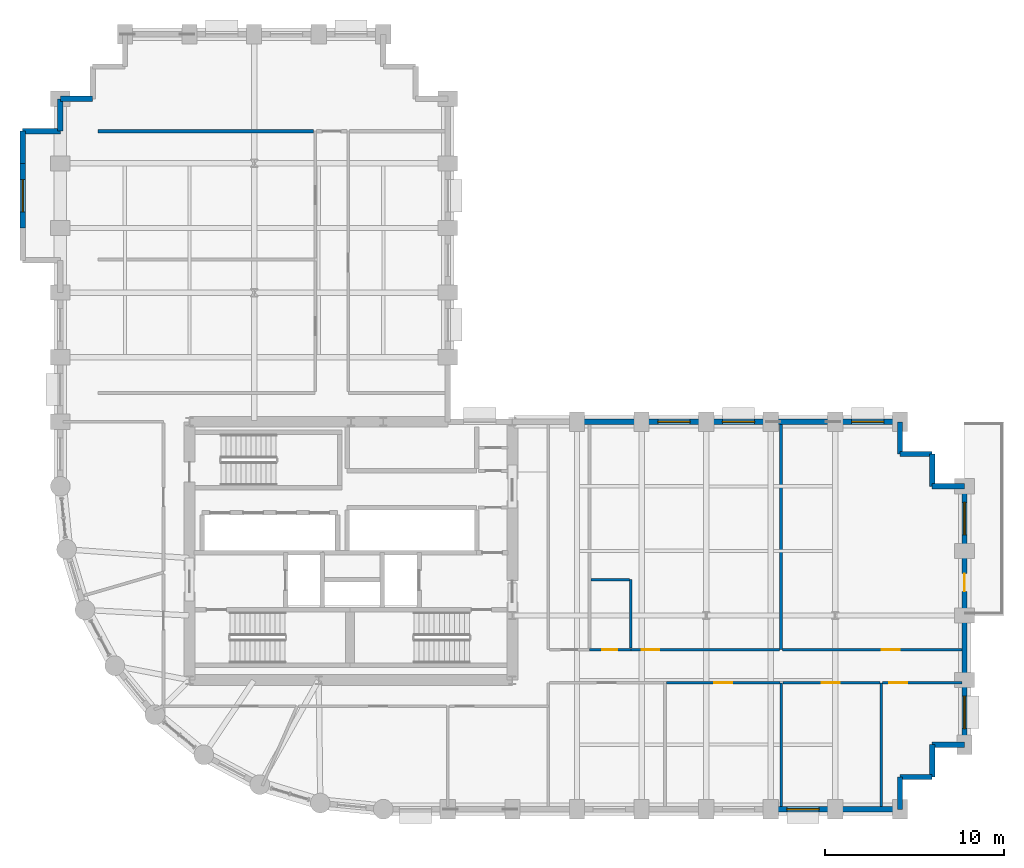
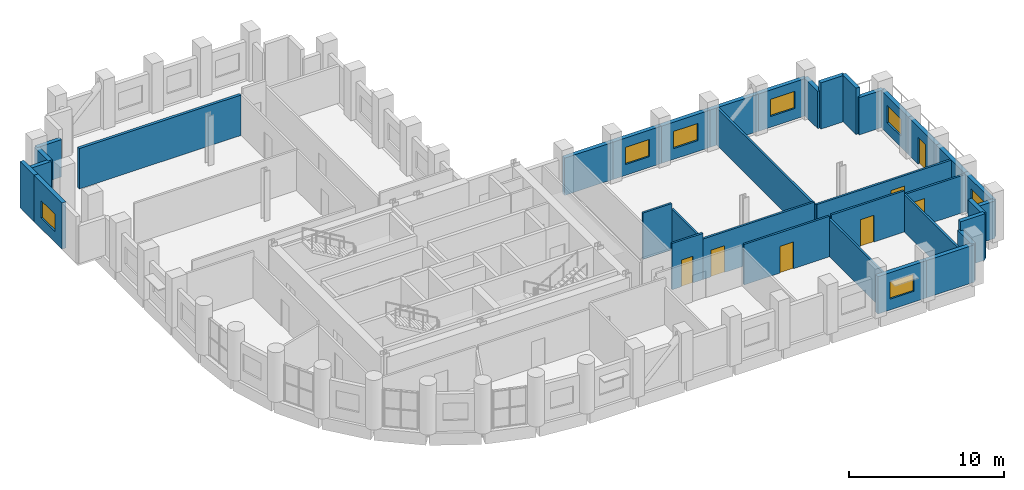
# One storey, part 10 of 13: 36 walls, 7 doors, 7 windows, 14 openings.
"""IFC4 building model written with IfcOpenShell, lengths in metres."""

from ifc_helpers import new_model, si_unit, direction, frame, frame_2d, origin, place, context, subcontext, project, spatial, rectangle, extrude, material, layer, layer_set, type_object, element, fill, save


model = new_model("IFC4")

# Units and contexts
model_context = context("Model", 3, precision=1e-05, world=origin(), true_north=direction((0.0, 1.0)))
body_context = subcontext(model_context, "Body", "Model", "MODEL_VIEW")
ifc_project = project(units=[si_unit("LENGTHUNIT", "METRE"), si_unit("AREAUNIT", "SQUARE_METRE"), si_unit("VOLUMEUNIT", "CUBIC_METRE"), si_unit("PLANEANGLEUNIT", "RADIAN"), si_unit("MASSUNIT", "GRAM", prefix="KILO")], contexts=[model_context])

# Site, building, storey
site_placement = place(None, origin())
site = spatial("IfcSite", under=ifc_project, at=site_placement, CompositionType="ELEMENT")
building_placement = place(site_placement, origin())
building = spatial("IfcBuilding", under=site, at=building_placement, Name="Solnavia Interchange Tower", CompositionType="ELEMENT")
storey_placement = place(building_placement, frame((0.0, 0.0, 87.89990234375)))
storey = spatial("IfcBuildingStorey", under=building, at=storey_placement, Name="L21", CompositionType="ELEMENT", Elevation=87.89990234375)

# Wall
ifc_material_1 = material(Name="Gypsum Acoustic Twin-Stud & Mineral Wool", Category="gypsum")
ifc_layer_1 = layer(ifc_material_1, 0.199951171875)
ifc_layer_set_1 = layer_set([ifc_layer_1], Name="Gypsum Acoustic Twin-Stud & Mineral Wool")
wall_type_1 = type_object("IfcWallType", Name="Wall-ApartmentParty-200", PredefinedType="PARTITIONING", material=ifc_layer_set_1)
wall_1_placement = place(storey_placement, frame((9.300048828125, 41.39990234375, 0.0), z_axis=(0.0, 0.0, 1.0), x_axis=(1.0, 0.0, 0.0)))
element("IfcWall", 1, at=wall_1_placement, inside=storey, type_object=wall_type_1, Name="PTW-L21-34 Interior partition wall", PredefinedType="PARTITIONING", context=body_context, shape_type="SweptSolid", body=[
    extrude(rectangle(XDim=12.02099609375, YDim=0.199951171875, at=frame_2d((6.010498046875, 0.0))), origin(), (0.0, 0.0, 1.0), 3.18017578125),
])

# Wall, opening, window
ifc_material_2 = material(Name="Concrete C40/50", Category="concrete")
ifc_layer_2 = layer(ifc_material_2, 0.300048828125)
ifc_layer_set_2 = layer_set([ifc_layer_2], Name="Concrete C40/50")
wall_type_2 = type_object("IfcWallType", Name="Wall-ExtSpandrel-300", PredefinedType="STANDARD", material=ifc_layer_set_2)
wall_2_placement = place(storey_placement, frame((50.39990234375, 3.60009765625, 0.0), z_axis=(0.0, 0.0, 1.0), x_axis=(-1.0, 0.0, 0.0)))
wall_2 = element("IfcWall", 2, at=wall_2_placement, inside=storey, type_object=wall_type_2, Name="EXW-L21-07 Exterior precast spandrel wall", PredefinedType="STANDARD", context=body_context, shape_type="SweptSolid", body=[
    extrude(rectangle(XDim=3.599853515625, YDim=0.300048828125, at=frame_2d((1.7998046875, 0.0))), origin(), (0.0, 0.0, 1.0), 2.93017578125),
])
opening_1_placement = place(wall_2_placement, frame((0.89990234375, 0.0, 0.85009765625)))
opening_1 = element("IfcOpeningElement", 3, at=opening_1_placement, cuts=wall_2, Name="Opening WIN-02", PredefinedType="OPENING", context=body_context, shape_type="SweptSolid", body=[
    extrude(rectangle(XDim=1.800048828125, YDim=1.35009765625, at=frame_2d((0.89990234375, 0.675048828125))), frame((0.0, 0.16015625, 0.0), z_axis=(0.0, -1.0, 0.0), x_axis=(1.0, 0.0, 0.0)), (0.0, 0.0, 1.0), 0.320068359375),
])
ifc_material_3 = material(Name="Thermal-Break Aluminium & Low-E Glass", Category="aluminium")
window_type = type_object("IfcWindowType", Name="Window-Ribbon-1800x1350", PartitioningType="SINGLE_PANEL", PredefinedType="WINDOW", material=ifc_material_3)
window_1_placement = place(opening_1_placement, origin())
window_1 = element("IfcWindow", 4, at=window_1_placement, inside=storey, type_object=window_type, Name="WIN-L21-07 Facade ribbon window", OverallHeight=1.35009765625, OverallWidth=1.800048828125, PartitioningType="SINGLE_PANEL", PredefinedType="WINDOW", context=body_context, shape_type="SweptSolid", body=[
    extrude(rectangle(XDim=1.800048828125, YDim=1.35009765625, at=frame_2d((0.89990234375, 0.675048828125))), frame((0.0, 0.030029296875, 0.0), z_axis=(0.0, -1.0, 0.0), x_axis=(1.0, 0.0, 0.0)), (0.0, 0.0, 1.0), 0.06005859375),
])
fill(opening_1, window_1)

# Walls
wall_3_placement = place(storey_placement, frame((54.0, 3.60009765625, 0.0), z_axis=(0.0, 0.0, 1.0), x_axis=(-1.0, 0.0, 0.0)))
element("IfcWall", 5, at=wall_3_placement, inside=storey, type_object=wall_type_2, Name="EXW-L21-08 Exterior precast spandrel wall", PredefinedType="STANDARD", context=body_context, shape_type="SweptSolid", body=[
    extrude(rectangle(XDim=3.60009765625, YDim=0.300048828125, at=frame_2d((1.800048828125, 0.0))), origin(), (0.0, 0.0, 1.0), 2.93017578125),
])
wall_4_placement = place(storey_placement, frame((54.0, 5.39990234375, 0.0), z_axis=(0.0, 0.0, 1.0), x_axis=(0.0, -1.0, 0.0)))
element("IfcWall", 6, at=wall_4_placement, inside=storey, type_object=wall_type_2, Name="EXW-L21-09 Exterior precast spandrel wall", PredefinedType="STANDARD", context=body_context, shape_type="SweptSolid", body=[
    extrude(rectangle(XDim=1.7998046875, YDim=0.300048828125, at=frame_2d((0.89990234375, 0.0))), origin(), (0.0, 0.0, 1.0), 2.93017578125),
])
for number, where, z_axis, x_axis, name in (
    (7, (55.800048828125, 5.39990234375, 0.0), (0.0, 0.0, 1.0), (-1.0, 0.0, 0.0), "EXW-L21-10 Exterior precast spandrel wall"),
    (8, (55.800048828125, 7.199951171875, 0.0), (0.0, 0.0, 1.0), (0.0, -1.0, 0.0), "EXW-L21-11 Exterior precast spandrel wall"),
):
    element("IfcWall", number, at=place(storey_placement, frame(where, z_axis=z_axis, x_axis=x_axis)), inside=storey, type_object=wall_type_2, Name=name, PredefinedType="STANDARD", context=body_context, shape_type="SweptSolid", body=[
        extrude(rectangle(XDim=1.800048828125, YDim=0.300048828125, at=frame_2d((0.89990234375, 0.0))), origin(), (0.0, 0.0, 1.0), 3.635009765625),
    ])
wall_5_placement = place(storey_placement, frame((57.60009765625, 7.199951171875, 0.0), z_axis=(0.0, 0.0, 1.0), x_axis=(-1.0, 0.0, 0.0)))
element("IfcWall", 9, at=wall_5_placement, inside=storey, type_object=wall_type_2, Name="EXW-L21-12 Exterior precast spandrel wall", PredefinedType="STANDARD", context=body_context, shape_type="SweptSolid", body=[
    extrude(rectangle(XDim=1.800048828125, YDim=0.300048828125, at=frame_2d((0.89990234375, 0.0))), origin(), (0.0, 0.0, 1.0), 2.93017578125),
])

# Wall, opening, window
wall_6_placement = place(storey_placement, frame((57.60009765625, 10.800048828125, 0.0), z_axis=(0.0, 0.0, 1.0), x_axis=(0.0, -1.0, 0.0)))
wall_6 = element("IfcWall", 10, at=wall_6_placement, inside=storey, type_object=wall_type_2, Name="EXW-L21-13 Exterior precast spandrel wall", PredefinedType="STANDARD", context=body_context, shape_type="SweptSolid", body=[
    extrude(rectangle(XDim=3.60009765625, YDim=0.300048828125, at=frame_2d((1.800048828125, 0.0))), origin(), (0.0, 0.0, 1.0), 2.93017578125),
])
opening_2_placement = place(wall_6_placement, frame((0.89990234375, 0.0, 0.85009765625)))
opening_2 = element("IfcOpeningElement", 11, at=opening_2_placement, cuts=wall_6, Name="Opening WIN-02", PredefinedType="OPENING", context=body_context, shape_type="SweptSolid", body=[
    extrude(rectangle(XDim=1.800048828125, YDim=1.35009765625, at=frame_2d((0.89990234375, 0.675048828125))), frame((0.0, 0.16015625, 0.0), z_axis=(0.0, -1.0, 0.0), x_axis=(1.0, 0.0, 0.0)), (0.0, 0.0, 1.0), 0.320068359375),
])
window_2_placement = place(opening_2_placement, origin())
window_2 = element("IfcWindow", 12, at=window_2_placement, inside=storey, type_object=window_type, Name="WIN-L21-13 Facade ribbon window", OverallHeight=1.35009765625, OverallWidth=1.800048828125, PartitioningType="SINGLE_PANEL", PredefinedType="WINDOW", context=body_context, shape_type="SweptSolid", body=[
    extrude(rectangle(XDim=1.800048828125, YDim=1.35009765625, at=frame_2d((0.89990234375, 0.675048828125))), frame((0.0, 0.030029296875, 0.0), z_axis=(0.0, -1.0, 0.0), x_axis=(1.0, 0.0, 0.0)), (0.0, 0.0, 1.0), 0.06005859375),
])
fill(opening_2, window_2)

# Wall
wall_7_placement = place(storey_placement, frame((57.60009765625, 14.39990234375, 0.0), z_axis=(0.0, 0.0, 1.0), x_axis=(0.0, -1.0, 0.0)))
element("IfcWall", 13, at=wall_7_placement, inside=storey, type_object=wall_type_2, Name="EXW-L21-14 Exterior precast spandrel wall", PredefinedType="STANDARD", context=body_context, shape_type="SweptSolid", body=[
    extrude(rectangle(XDim=3.599853515625, YDim=0.300048828125, at=frame_2d((1.7998046875, 0.0))), origin(), (0.0, 0.0, 1.0), 2.93017578125),
])

# Wall, opening, door
wall_8_placement = place(storey_placement, frame((57.60009765625, 18.0, 0.0), z_axis=(0.0, 0.0, 1.0), x_axis=(0.0, -1.0, 0.0)))
wall_8 = element("IfcWall", 14, at=wall_8_placement, inside=storey, type_object=wall_type_2, Name="EXW-L21-15 Exterior precast spandrel wall", PredefinedType="STANDARD", context=body_context, shape_type="SweptSolid", body=[
    extrude(rectangle(XDim=3.60009765625, YDim=0.300048828125, at=frame_2d((1.800048828125, 0.0))), origin(), (0.0, 0.0, 1.0), 2.93017578125),
])
opening_3_placement = place(wall_8_placement, frame((1.260986328125, 0.0, 0.0)))
opening_3 = element("IfcOpeningElement", 15, at=opening_3_placement, cuts=wall_8, Name="Opening EXD-05", PredefinedType="OPENING", context=body_context, shape_type="SweptSolid", body=[
    extrude(rectangle(XDim=1.0, YDim=2.10009765625, at=frame_2d((0.5, 1.050048828125))), frame((0.0, 0.16015625, 0.0), z_axis=(0.0, -1.0, 0.0), x_axis=(1.0, 0.0, 0.0)), (0.0, 0.0, 1.0), 0.320068359375),
])
ifc_material_4 = material(Name="Thermally Broken Aluminium & Laminated Glass", Category="aluminium")
door_type_1 = type_object("IfcDoorType", Name="Door-TerraceSingle-1000x2100", OperationType="SINGLE_SWING_LEFT", PredefinedType="DOOR", material=ifc_material_4)
door_1_placement = place(opening_3_placement, origin())
door_1 = element("IfcDoor", 16, at=door_1_placement, inside=storey, type_object=door_type_1, Name="EXD-L21-TER Spiral terrace glazed door", OperationType="SINGLE_SWING_LEFT", OverallHeight=2.10009765625, OverallWidth=1.0, PredefinedType="DOOR", context=body_context, shape_type="SweptSolid", body=[
    extrude(rectangle(XDim=1.0, YDim=2.10009765625, at=frame_2d((0.5, 1.050048828125))), frame((0.0, 0.02490234375, 0.0), z_axis=(0.0, -1.0, 0.0), x_axis=(1.0, 0.0, 0.0)), (0.0, 0.0, 1.0), 0.050048828125),
])
fill(opening_3, door_1)

# Wall, opening, window
wall_9_placement = place(storey_placement, frame((57.60009765625, 21.60009765625, 0.0), z_axis=(0.0, 0.0, 1.0), x_axis=(0.0, -1.0, 0.0)))
wall_9 = element("IfcWall", 17, at=wall_9_placement, inside=storey, type_object=wall_type_2, Name="EXW-L21-16 Exterior precast spandrel wall", PredefinedType="STANDARD", context=body_context, shape_type="SweptSolid", body=[
    extrude(rectangle(XDim=3.60009765625, YDim=0.300048828125, at=frame_2d((1.800048828125, 0.0))), origin(), (0.0, 0.0, 1.0), 2.93017578125),
])
opening_4_placement = place(wall_9_placement, frame((0.89990234375, 0.0, 0.85009765625)))
opening_4 = element("IfcOpeningElement", 18, at=opening_4_placement, cuts=wall_9, Name="Opening WIN-02", PredefinedType="OPENING", context=body_context, shape_type="SweptSolid", body=[
    extrude(rectangle(XDim=1.800048828125, YDim=1.35009765625, at=frame_2d((0.89990234375, 0.675048828125))), frame((0.0, 0.16015625, 0.0), z_axis=(0.0, -1.0, 0.0), x_axis=(1.0, 0.0, 0.0)), (0.0, 0.0, 1.0), 0.320068359375),
])
window_3_placement = place(opening_4_placement, origin())
window_3 = element("IfcWindow", 19, at=window_3_placement, inside=storey, type_object=window_type, Name="WIN-L21-16 Facade ribbon window", OverallHeight=1.35009765625, OverallWidth=1.800048828125, PartitioningType="SINGLE_PANEL", PredefinedType="WINDOW", context=body_context, shape_type="SweptSolid", body=[
    extrude(rectangle(XDim=1.800048828125, YDim=1.35009765625, at=frame_2d((0.89990234375, 0.675048828125))), frame((0.0, 0.030029296875, 0.0), z_axis=(0.0, -1.0, 0.0), x_axis=(1.0, 0.0, 0.0)), (0.0, 0.0, 1.0), 0.06005859375),
])
fill(opening_4, window_3)

# Walls
wall_10_placement = place(storey_placement, frame((55.800048828125, 21.60009765625, 0.0), z_axis=(0.0, 0.0, 1.0), x_axis=(1.0, 0.0, 0.0)))
element("IfcWall", 20, at=wall_10_placement, inside=storey, type_object=wall_type_2, Name="EXW-L21-17 Exterior precast spandrel wall", PredefinedType="STANDARD", context=body_context, shape_type="SweptSolid", body=[
    extrude(rectangle(XDim=1.800048828125, YDim=0.300048828125, at=frame_2d((0.89990234375, 0.0))), origin(), (0.0, 0.0, 1.0), 2.93017578125),
])
wall_11_placement = place(storey_placement, frame((55.800048828125, 23.39990234375, 0.0), z_axis=(0.0, 0.0, 1.0), x_axis=(0.0, -1.0, 0.0)))
element("IfcWall", 21, at=wall_11_placement, inside=storey, type_object=wall_type_2, Name="EXW-L21-18 Exterior precast spandrel wall", PredefinedType="STANDARD", context=body_context, shape_type="SweptSolid", body=[
    extrude(rectangle(XDim=1.7998046875, YDim=0.300048828125, at=frame_2d((0.89990234375, 0.0))), origin(), (0.0, 0.0, 1.0), 3.635009765625),
])
wall_12_placement = place(storey_placement, frame((54.0, 23.39990234375, 0.0), z_axis=(0.0, 0.0, 1.0), x_axis=(1.0, 0.0, 0.0)))
element("IfcWall", 22, at=wall_12_placement, inside=storey, type_object=wall_type_2, Name="EXW-L21-19 Exterior precast spandrel wall", PredefinedType="STANDARD", context=body_context, shape_type="SweptSolid", body=[
    extrude(rectangle(XDim=1.800048828125, YDim=0.300048828125, at=frame_2d((0.89990234375, 0.0))), origin(), (0.0, 0.0, 1.0), 3.635009765625),
])
wall_13_placement = place(storey_placement, frame((54.0, 25.199951171875, 0.0), z_axis=(0.0, 0.0, 1.0), x_axis=(0.0, -1.0, 0.0)))
element("IfcWall", 23, at=wall_13_placement, inside=storey, type_object=wall_type_2, Name="EXW-L21-20 Exterior precast spandrel wall", PredefinedType="STANDARD", context=body_context, shape_type="SweptSolid", body=[
    extrude(rectangle(XDim=1.800048828125, YDim=0.300048828125, at=frame_2d((0.89990234375, 0.0))), origin(), (0.0, 0.0, 1.0), 2.93017578125),
])

# Wall, opening, window
wall_14_placement = place(storey_placement, frame((50.39990234375, 25.199951171875, 0.0), z_axis=(0.0, 0.0, 1.0), x_axis=(1.0, 0.0, 0.0)))
wall_14 = element("IfcWall", 24, at=wall_14_placement, inside=storey, type_object=wall_type_2, Name="EXW-L21-21 Exterior precast spandrel wall", PredefinedType="STANDARD", context=body_context, shape_type="SweptSolid", body=[
    extrude(rectangle(XDim=3.60009765625, YDim=0.300048828125, at=frame_2d((1.800048828125, 0.0))), origin(), (0.0, 0.0, 1.0), 2.93017578125),
])
opening_5_placement = place(wall_14_placement, frame((0.89990234375, 0.0, 0.85009765625)))
opening_5 = element("IfcOpeningElement", 25, at=opening_5_placement, cuts=wall_14, Name="Opening WIN-02", PredefinedType="OPENING", context=body_context, shape_type="SweptSolid", body=[
    extrude(rectangle(XDim=1.800048828125, YDim=1.35009765625, at=frame_2d((0.89990234375, 0.675048828125))), frame((0.0, 0.16015625, 0.0), z_axis=(0.0, -1.0, 0.0), x_axis=(1.0, 0.0, 0.0)), (0.0, 0.0, 1.0), 0.320068359375),
])
window_4_placement = place(opening_5_placement, origin())
window_4 = element("IfcWindow", 26, at=window_4_placement, inside=storey, type_object=window_type, Name="WIN-L21-21 Facade ribbon window", OverallHeight=1.35009765625, OverallWidth=1.800048828125, PartitioningType="SINGLE_PANEL", PredefinedType="WINDOW", context=body_context, shape_type="SweptSolid", body=[
    extrude(rectangle(XDim=1.800048828125, YDim=1.35009765625, at=frame_2d((0.89990234375, 0.675048828125))), frame((0.0, 0.030029296875, 0.0), z_axis=(0.0, -1.0, 0.0), x_axis=(1.0, 0.0, 0.0)), (0.0, 0.0, 1.0), 0.06005859375),
])
fill(opening_5, window_4)

# Wall
wall_15_placement = place(storey_placement, frame((46.800048828125, 25.199951171875, 0.0), z_axis=(0.0, 0.0, 1.0), x_axis=(1.0, 0.0, 0.0)))
element("IfcWall", 27, at=wall_15_placement, inside=storey, type_object=wall_type_2, Name="EXW-L21-22 Exterior precast spandrel wall", PredefinedType="STANDARD", context=body_context, shape_type="SweptSolid", body=[
    extrude(rectangle(XDim=3.599853515625, YDim=0.300048828125, at=frame_2d((1.7998046875, 0.0))), origin(), (0.0, 0.0, 1.0), 2.93017578125),
])

# Wall, opening, window
wall_16_placement = place(storey_placement, frame((43.199951171875, 25.199951171875, 0.0), z_axis=(0.0, 0.0, 1.0), x_axis=(1.0, 0.0, 0.0)))
wall_16 = element("IfcWall", 28, at=wall_16_placement, inside=storey, type_object=wall_type_2, Name="EXW-L21-23 Exterior precast spandrel wall", PredefinedType="STANDARD", context=body_context, shape_type="SweptSolid", body=[
    extrude(rectangle(XDim=3.60009765625, YDim=0.300048828125, at=frame_2d((1.800048828125, 0.0))), origin(), (0.0, 0.0, 1.0), 2.93017578125),
])
opening_6_placement = place(wall_16_placement, frame((0.89990234375, 0.0, 0.85009765625)))
opening_6 = element("IfcOpeningElement", 29, at=opening_6_placement, cuts=wall_16, Name="Opening WIN-02", PredefinedType="OPENING", context=body_context, shape_type="SweptSolid", body=[
    extrude(rectangle(XDim=1.800048828125, YDim=1.35009765625, at=frame_2d((0.89990234375, 0.675048828125))), frame((0.0, 0.16015625, 0.0), z_axis=(0.0, -1.0, 0.0), x_axis=(1.0, 0.0, 0.0)), (0.0, 0.0, 1.0), 0.320068359375),
])
window_5_placement = place(opening_6_placement, origin())
window_5 = element("IfcWindow", 30, at=window_5_placement, inside=storey, type_object=window_type, Name="WIN-L21-23 Facade ribbon window", OverallHeight=1.35009765625, OverallWidth=1.800048828125, PartitioningType="SINGLE_PANEL", PredefinedType="WINDOW", context=body_context, shape_type="SweptSolid", body=[
    extrude(rectangle(XDim=1.800048828125, YDim=1.35009765625, at=frame_2d((0.89990234375, 0.675048828125))), frame((0.0, 0.030029296875, 0.0), z_axis=(0.0, -1.0, 0.0), x_axis=(1.0, 0.0, 0.0)), (0.0, 0.0, 1.0), 0.06005859375),
])
fill(opening_6, window_5)

wall_17_placement = place(storey_placement, frame((39.60009765625, 25.199951171875, 0.0), z_axis=(0.0, 0.0, 1.0), x_axis=(1.0, 0.0, 0.0)))
wall_17 = element("IfcWall", 31, at=wall_17_placement, inside=storey, type_object=wall_type_2, Name="EXW-L21-24 Exterior precast spandrel wall", PredefinedType="STANDARD", context=body_context, shape_type="SweptSolid", body=[
    extrude(rectangle(XDim=3.599853515625, YDim=0.300048828125, at=frame_2d((1.7998046875, 0.0))), origin(), (0.0, 0.0, 1.0), 2.93017578125),
])
opening_7_placement = place(wall_17_placement, frame((0.89990234375, 0.0, 0.85009765625)))
opening_7 = element("IfcOpeningElement", 32, at=opening_7_placement, cuts=wall_17, Name="Opening WIN-02", PredefinedType="OPENING", context=body_context, shape_type="SweptSolid", body=[
    extrude(rectangle(XDim=1.800048828125, YDim=1.35009765625, at=frame_2d((0.89990234375, 0.675048828125))), frame((0.0, 0.16015625, 0.0), z_axis=(0.0, -1.0, 0.0), x_axis=(1.0, 0.0, 0.0)), (0.0, 0.0, 1.0), 0.320068359375),
])
window_6_placement = place(opening_7_placement, origin())
window_6 = element("IfcWindow", 33, at=window_6_placement, inside=storey, type_object=window_type, Name="WIN-L21-24 Facade ribbon window", OverallHeight=1.35009765625, OverallWidth=1.800048828125, PartitioningType="SINGLE_PANEL", PredefinedType="WINDOW", context=body_context, shape_type="SweptSolid", body=[
    extrude(rectangle(XDim=1.800048828125, YDim=1.35009765625, at=frame_2d((0.89990234375, 0.675048828125))), frame((0.0, 0.030029296875, 0.0), z_axis=(0.0, -1.0, 0.0), x_axis=(1.0, 0.0, 0.0)), (0.0, 0.0, 1.0), 0.06005859375),
])
fill(opening_7, window_6)

# Walls
wall_18_placement = place(storey_placement, frame((36.0, 25.199951171875, 0.0), z_axis=(0.0, 0.0, 1.0), x_axis=(1.0, 0.0, 0.0)))
element("IfcWall", 34, at=wall_18_placement, inside=storey, type_object=wall_type_2, Name="EXW-L21-25 Exterior precast spandrel wall", PredefinedType="STANDARD", context=body_context, shape_type="SweptSolid", body=[
    extrude(rectangle(XDim=3.60009765625, YDim=0.300048828125, at=frame_2d((1.800048828125, 0.0))), origin(), (0.0, 0.0, 1.0), 2.93017578125),
])
for number, where, z_axis, x_axis, name in (
    (35, (7.199951171875, 43.199951171875, 0.0), (0.0, 0.0, 1.0), (1.0, 0.0, 0.0), "EXW-L21-44 Exterior precast spandrel wall"),
    (36, (7.199951171875, 41.39990234375, 0.0), (0.0, 0.0, 1.0), (0.0, 1.0, 0.0), "EXW-L21-45 Exterior precast spandrel wall"),
):
    element("IfcWall", number, at=place(storey_placement, frame(where, z_axis=z_axis, x_axis=x_axis)), inside=storey, type_object=wall_type_2, Name=name, PredefinedType="STANDARD", context=body_context, shape_type="SweptSolid", body=[
        extrude(rectangle(XDim=1.800048828125, YDim=0.300048828125, at=frame_2d((0.89990234375, 0.0))), origin(), (0.0, 0.0, 1.0), 2.93017578125),
    ])
wall_19_placement = place(storey_placement, frame((5.10009765625, 41.39990234375, 0.0), z_axis=(0.0, 0.0, 1.0), x_axis=(1.0, 0.0, 0.0)))
element("IfcWall", 37, at=wall_19_placement, inside=storey, type_object=wall_type_2, Name="EXW-L21-46 Exterior precast spandrel wall", PredefinedType="STANDARD", context=body_context, shape_type="SweptSolid", body=[
    extrude(rectangle(XDim=2.099853515625, YDim=0.300048828125, at=frame_2d((1.0498046875, 0.0))), origin(), (0.0, 0.0, 1.0), 2.93017578125),
])
wall_20_placement = place(storey_placement, frame((5.10009765625, 39.60009765625, 0.0), z_axis=(0.0, 0.0, 1.0), x_axis=(0.0, 1.0, 0.0)))
element("IfcWall", 38, at=wall_20_placement, inside=storey, type_object=wall_type_2, Name="EXW-L21-47 Exterior precast spandrel wall", PredefinedType="STANDARD", context=body_context, shape_type="SweptSolid", body=[
    extrude(rectangle(XDim=1.7998046875, YDim=0.300048828125, at=frame_2d((0.89990234375, 0.0))), origin(), (0.0, 0.0, 1.0), 3.635009765625),
])

# Wall, opening, window
wall_21_placement = place(storey_placement, frame((5.10009765625, 36.0, 0.0), z_axis=(0.0, 0.0, 1.0), x_axis=(0.0, 1.0, 0.0)))
wall_21 = element("IfcWall", 39, at=wall_21_placement, inside=storey, type_object=wall_type_2, Name="EXW-L21-48 Exterior precast spandrel wall", PredefinedType="STANDARD", context=body_context, shape_type="SweptSolid", body=[
    extrude(rectangle(XDim=3.60009765625, YDim=0.300048828125, at=frame_2d((1.800048828125, 0.0))), origin(), (0.0, 0.0, 1.0), 3.635009765625),
])
opening_8_placement = place(wall_21_placement, frame((0.89990234375, 0.0, 0.85009765625)))
opening_8 = element("IfcOpeningElement", 40, at=opening_8_placement, cuts=wall_21, Name="Opening WIN-02", PredefinedType="OPENING", context=body_context, shape_type="SweptSolid", body=[
    extrude(rectangle(XDim=1.800048828125, YDim=1.35009765625, at=frame_2d((0.89990234375, 0.675048828125))), frame((0.0, 0.16015625, 0.0), z_axis=(0.0, -1.0, 0.0), x_axis=(1.0, 0.0, 0.0)), (0.0, 0.0, 1.0), 0.320068359375),
])
window_7_placement = place(opening_8_placement, origin())
window_7 = element("IfcWindow", 41, at=window_7_placement, inside=storey, type_object=window_type, Name="WIN-L21-48 Facade ribbon window", OverallHeight=1.35009765625, OverallWidth=1.800048828125, PartitioningType="SINGLE_PANEL", PredefinedType="WINDOW", context=body_context, shape_type="SweptSolid", body=[
    extrude(rectangle(XDim=1.800048828125, YDim=1.35009765625, at=frame_2d((0.89990234375, 0.675048828125))), frame((0.0, 0.030029296875, 0.0), z_axis=(0.0, -1.0, 0.0), x_axis=(1.0, 0.0, 0.0)), (0.0, 0.0, 1.0), 0.06005859375),
])
fill(opening_8, window_7)

# Wall
ifc_material_5 = material(Name="Gypsum Plasterboard & Steel Stud", Category="steel")
ifc_layer_3 = layer(ifc_material_5, 0.14990234375)
ifc_layer_set_3 = layer_set([ifc_layer_3], Name="Gypsum Plasterboard & Steel Stud")
wall_type_3 = type_object("IfcWallType", Name="Wall-Partition-150", PredefinedType="PARTITIONING", material=ifc_layer_set_3)
wall_22_placement = place(storey_placement, frame((47.389892578125, 3.75390625, 0.0), z_axis=(0.0, 0.0, 1.0), x_axis=(0.0, 1.0, 0.0)))
element("IfcWall", 42, at=wall_22_placement, inside=storey, type_object=wall_type_3, Name="PTW-L21-20 Interior partition wall", PredefinedType="PARTITIONING", context=body_context, shape_type="SweptSolid", body=[
    extrude(rectangle(XDim=6.89599609375, YDim=0.14990234375, at=frame_2d((3.447998046875, 0.0))), origin(), (0.0, 0.0, 1.0), 2.93017578125),
])

# Wall, opening, door
wall_23_placement = place(storey_placement, frame((40.97900390625, 10.64990234375, 0.0), z_axis=(0.0, 0.0, 1.0), x_axis=(1.0, 0.0, 0.0)))
wall_23 = element("IfcWall", 43, at=wall_23_placement, inside=storey, type_object=wall_type_3, Name="PTW-L21-21 Interior partition wall", PredefinedType="PARTITIONING", context=body_context, shape_type="SweptSolid", body=[
    extrude(rectangle(XDim=6.33203125, YDim=0.14990234375, at=frame_2d((3.166015625, 0.0))), origin(), (0.0, 0.0, 1.0), 3.18017578125),
])
opening_9_placement = place(wall_23_placement, frame((2.666015625, 0.0, 0.0)))
opening_9 = element("IfcOpeningElement", 44, at=opening_9_placement, cuts=wall_23, Name="Opening DR-07", PredefinedType="OPENING", context=body_context, shape_type="SweptSolid", body=[
    extrude(rectangle(XDim=1.0, YDim=2.10009765625, at=frame_2d((0.5, 1.050048828125))), frame((0.0, 0.0849609375, 0.0), z_axis=(0.0, -1.0, 0.0), x_axis=(1.0, 0.0, 0.0)), (0.0, 0.0, 1.0), 0.169921875),
])
ifc_material_6 = material(Name="Timber & Acoustic Glazed Office Door", Category="wood")
door_type_2 = type_object("IfcDoorType", Name="Door-Office-1000x2100", OperationType="SINGLE_SWING_RIGHT", PredefinedType="DOOR", material=ifc_material_6)
door_2_placement = place(opening_9_placement, origin())
door_2 = element("IfcDoor", 45, at=door_2_placement, inside=storey, type_object=door_type_2, Name="DR-L21-09 Interior room door", OperationType="SINGLE_SWING_RIGHT", OverallHeight=2.10009765625, OverallWidth=1.0, PredefinedType="DOOR", context=body_context, shape_type="SweptSolid", body=[
    extrude(rectangle(XDim=1.0, YDim=2.10009765625, at=frame_2d((0.5, 1.050048828125))), frame((0.0, 0.02490234375, 0.0), z_axis=(0.0, -1.0, 0.0), x_axis=(1.0, 0.0, 0.0)), (0.0, 0.0, 1.0), 0.050048828125),
])
fill(opening_9, door_2)

# Wall
wall_24_placement = place(storey_placement, frame((52.9599609375, 3.75390625, 0.0), z_axis=(0.0, 0.0, 1.0), x_axis=(0.0, 1.0, 0.0)))
element("IfcWall", 46, at=wall_24_placement, inside=storey, type_object=wall_type_3, Name="PTW-L21-22 Interior partition wall", PredefinedType="PARTITIONING", context=body_context, shape_type="SweptSolid", body=[
    extrude(rectangle(XDim=6.89599609375, YDim=0.14990234375, at=frame_2d((3.447998046875, 0.0))), origin(), (0.0, 0.0, 1.0), 2.93017578125),
])

# Wall, opening, door
wall_25_placement = place(storey_placement, frame((47.468994140625, 10.64990234375, 0.0), z_axis=(0.0, 0.0, 1.0), x_axis=(1.0, 0.0, 0.0)))
wall_25 = element("IfcWall", 47, at=wall_25_placement, inside=storey, type_object=wall_type_3, Name="PTW-L21-23 Interior partition wall", PredefinedType="PARTITIONING", context=body_context, shape_type="SweptSolid", body=[
    extrude(rectangle(XDim=5.412109375, YDim=0.14990234375, at=frame_2d((2.7060546875, 0.0))), origin(), (0.0, 0.0, 1.0), 3.22998046875),
])
opening_10_placement = place(wall_25_placement, frame((2.1669921875, 0.0, 0.0)))
opening_10 = element("IfcOpeningElement", 48, at=opening_10_placement, cuts=wall_25, Name="Opening DR-07", PredefinedType="OPENING", context=body_context, shape_type="SweptSolid", body=[
    extrude(rectangle(XDim=1.0, YDim=2.10009765625, at=frame_2d((0.5, 1.050048828125))), frame((0.0, 0.0849609375, 0.0), z_axis=(0.0, -1.0, 0.0), x_axis=(1.0, 0.0, 0.0)), (0.0, 0.0, 1.0), 0.169921875),
])
door_3_placement = place(opening_10_placement, origin())
door_3 = element("IfcDoor", 49, at=door_3_placement, inside=storey, type_object=door_type_2, Name="DR-L21-10 Interior room door", OperationType="SINGLE_SWING_LEFT", OverallHeight=2.10009765625, OverallWidth=1.0, PredefinedType="DOOR", context=body_context, shape_type="SweptSolid", body=[
    extrude(rectangle(XDim=1.0, YDim=2.10009765625, at=frame_2d((0.5, 1.050048828125))), frame((0.0, 0.02490234375, 0.0), z_axis=(0.0, -1.0, 0.0), x_axis=(1.0, 0.0, 0.0)), (0.0, 0.0, 1.0), 0.050048828125),
])
fill(opening_10, door_3)

wall_26_placement = place(storey_placement, frame((53.0390625, 10.64990234375, 0.0), z_axis=(0.0, 0.0, 1.0), x_axis=(1.0, 0.0, 0.0)))
wall_26 = element("IfcWall", 50, at=wall_26_placement, inside=storey, type_object=wall_type_3, Name="PTW-L21-24 Interior partition wall", PredefinedType="PARTITIONING", context=body_context, shape_type="SweptSolid", body=[
    extrude(rectangle(XDim=4.406982421875, YDim=0.14990234375, at=frame_2d((2.20361328125, 0.0))), origin(), (0.0, 0.0, 1.0), 2.93017578125),
])
opening_11_placement = place(wall_26_placement, frame((0.360107421875, 0.0, 0.0)))
opening_11 = element("IfcOpeningElement", 51, at=opening_11_placement, cuts=wall_26, Name="Opening DR-07", PredefinedType="OPENING", context=body_context, shape_type="SweptSolid", body=[
    extrude(rectangle(XDim=1.0, YDim=2.10009765625, at=frame_2d((0.5, 1.050048828125))), frame((0.0, 0.0849609375, 0.0), z_axis=(0.0, -1.0, 0.0), x_axis=(1.0, 0.0, 0.0)), (0.0, 0.0, 1.0), 0.169921875),
])
door_4_placement = place(opening_11_placement, origin())
door_4 = element("IfcDoor", 52, at=door_4_placement, inside=storey, type_object=door_type_2, Name="DR-L21-11 Interior room door", OperationType="SINGLE_SWING_RIGHT", OverallHeight=2.10009765625, OverallWidth=1.0, PredefinedType="DOOR", context=body_context, shape_type="SweptSolid", body=[
    extrude(rectangle(XDim=1.0, YDim=2.10009765625, at=frame_2d((0.5, 1.050048828125))), frame((0.0, 0.02490234375, 0.0), z_axis=(0.0, -1.0, 0.0), x_axis=(1.0, 0.0, 0.0)), (0.0, 0.0, 1.0), 0.050048828125),
])
fill(opening_11, door_4)

# Wall
wall_27_placement = place(storey_placement, frame((47.3701171875, 12.5, 0.0), z_axis=(0.0, 0.0, 1.0), x_axis=(0.0, 1.0, 0.0)))
element("IfcWall", 53, at=wall_27_placement, inside=storey, type_object=wall_type_3, Name="PTW-L21-25 Interior partition wall", PredefinedType="PARTITIONING", context=body_context, shape_type="SweptSolid", body=[
    extrude(rectangle(XDim=12.5458984375, YDim=0.14990234375, at=frame_2d((6.27294921875, 0.0))), origin(), (0.0, 0.0, 1.0), 2.93017578125),
])

# Wall, opening, door
wall_28_placement = place(storey_placement, frame((39.0, 12.5, 0.0), z_axis=(0.0, 0.0, 1.0), x_axis=(1.0, 0.0, 0.0)))
wall_28 = element("IfcWall", 54, at=wall_28_placement, inside=storey, type_object=wall_type_3, Name="PTW-L21-26 Interior partition wall", PredefinedType="PARTITIONING", context=body_context, shape_type="SweptSolid", body=[
    extrude(rectangle(XDim=8.291015625, YDim=0.14990234375, at=frame_2d((4.1455078125, 0.0))), origin(), (0.0, 0.0, 1.0), 3.190185546875),
])
opening_12_placement = place(wall_28_placement, frame((0.596923828125, 0.0, 0.0)))
opening_12 = element("IfcOpeningElement", 55, at=opening_12_placement, cuts=wall_28, Name="Opening DR-07", PredefinedType="OPENING", context=body_context, shape_type="SweptSolid", body=[
    extrude(rectangle(XDim=1.0, YDim=2.10009765625, at=frame_2d((0.5, 1.050048828125))), frame((0.0, 0.0849609375, 0.0), z_axis=(0.0, -1.0, 0.0), x_axis=(1.0, 0.0, 0.0)), (0.0, 0.0, 1.0), 0.169921875),
])
door_5_placement = place(opening_12_placement, origin())
door_5 = element("IfcDoor", 56, at=door_5_placement, inside=storey, type_object=door_type_2, Name="DR-L21-12 Interior room door", OperationType="SINGLE_SWING_RIGHT", OverallHeight=2.10009765625, OverallWidth=1.0, PredefinedType="DOOR", context=body_context, shape_type="SweptSolid", body=[
    extrude(rectangle(XDim=1.0, YDim=2.10009765625, at=frame_2d((0.5, 1.050048828125))), frame((0.0, 0.02490234375, 0.0), z_axis=(0.0, -1.0, 0.0), x_axis=(1.0, 0.0, 0.0)), (0.0, 0.0, 1.0), 0.050048828125),
])
fill(opening_12, door_5)

wall_29_placement = place(storey_placement, frame((47.448974609375, 12.5, 0.0), z_axis=(0.0, 0.0, 1.0), x_axis=(1.0, 0.0, 0.0)))
wall_29 = element("IfcWall", 57, at=wall_29_placement, inside=storey, type_object=wall_type_3, Name="PTW-L21-27 Interior partition wall", PredefinedType="PARTITIONING", context=body_context, shape_type="SweptSolid", body=[
    extrude(rectangle(XDim=9.9970703125, YDim=0.14990234375, at=frame_2d((4.99853515625, 0.0))), origin(), (0.0, 0.0, 1.0), 2.93017578125),
])
opening_13_placement = place(wall_29_placement, frame((5.530029296875, 0.0, 0.0)))
opening_13 = element("IfcOpeningElement", 58, at=opening_13_placement, cuts=wall_29, Name="Opening DR-07", PredefinedType="OPENING", context=body_context, shape_type="SweptSolid", body=[
    extrude(rectangle(XDim=1.0, YDim=2.10009765625, at=frame_2d((0.5, 1.050048828125))), frame((0.0, 0.0849609375, 0.0), z_axis=(0.0, -1.0, 0.0), x_axis=(1.0, 0.0, 0.0)), (0.0, 0.0, 1.0), 0.169921875),
])
door_6_placement = place(opening_13_placement, origin())
door_6 = element("IfcDoor", 59, at=door_6_placement, inside=storey, type_object=door_type_2, Name="DR-L21-13 Interior room door", OperationType="SINGLE_SWING_RIGHT", OverallHeight=2.10009765625, OverallWidth=1.0, PredefinedType="DOOR", context=body_context, shape_type="SweptSolid", body=[
    extrude(rectangle(XDim=1.0, YDim=2.10009765625, at=frame_2d((0.5, 1.050048828125))), frame((0.0, 0.02490234375, 0.0), z_axis=(0.0, -1.0, 0.0), x_axis=(1.0, 0.0, 0.0)), (0.0, 0.0, 1.0), 0.050048828125),
])
fill(opening_13, door_6)

ifc_material_7 = material(Name="Moisture-Resistant Gypsum & Steel Stud", Category="steel")
ifc_layer_4 = layer(ifc_material_7, 0.14990234375)
ifc_layer_set_4 = layer_set([ifc_layer_4], Name="Moisture-Resistant Gypsum & Steel Stud")
wall_type_4 = type_object("IfcWallType", Name="Wall-WetRoom-150", PredefinedType="PARTITIONING", material=ifc_layer_set_4)
wall_30_placement = place(storey_placement, frame((36.699951171875, 12.5, 0.0), z_axis=(0.0, 0.0, 1.0), x_axis=(1.0, 0.0, 0.0)))
wall_30 = element("IfcWall", 60, at=wall_30_placement, inside=storey, type_object=wall_type_4, Name="PTW-L21-04 Interior partition wall", PredefinedType="PARTITIONING", context=body_context, shape_type="SweptSolid", body=[
    extrude(rectangle(XDim=2.300048828125, YDim=0.14990234375, at=frame_2d((1.14990234375, 0.0))), origin(), (0.0, 0.0, 1.0), 3.635009765625),
])
opening_14_placement = place(wall_30_placement, frame((0.697021484375, 0.0, 0.0)))
opening_14 = element("IfcOpeningElement", 61, at=opening_14_placement, cuts=wall_30, Name="Opening DR-10", PredefinedType="OPENING", context=body_context, shape_type="SweptSolid", body=[
    extrude(rectangle(XDim=0.85009765625, YDim=2.10009765625, at=frame_2d((0.425048828125, 1.050048828125))), frame((0.0, 0.0849609375, 0.0), z_axis=(0.0, -1.0, 0.0), x_axis=(1.0, 0.0, 0.0)), (0.0, 0.0, 1.0), 0.169921875),
])
ifc_material_8 = material(Name="Moisture-Resistant Timber Door", Category="wood")
door_type_3 = type_object("IfcDoorType", Name="Door-Bathroom-850x2100", OperationType="SINGLE_SWING_RIGHT", PredefinedType="DOOR", material=ifc_material_8)
door_7_placement = place(opening_14_placement, origin())
door_7 = element("IfcDoor", 62, at=door_7_placement, inside=storey, type_object=door_type_3, Name="DR-L21-02 Interior room door", OperationType="SINGLE_SWING_RIGHT", OverallHeight=2.10009765625, OverallWidth=0.85009765625, PredefinedType="DOOR", context=body_context, shape_type="SweptSolid", body=[
    extrude(rectangle(XDim=0.85009765625, YDim=2.10009765625, at=frame_2d((0.425048828125, 1.050048828125))), frame((0.0, 0.02490234375, 0.0), z_axis=(0.0, -1.0, 0.0), x_axis=(1.0, 0.0, 0.0)), (0.0, 0.0, 1.0), 0.050048828125),
])
fill(opening_14, door_7)

# Walls
wall_31_placement = place(storey_placement, frame((39.0, 12.5791015625, 0.0), z_axis=(0.0, 0.0, 1.0), x_axis=(0.0, 1.0, 0.0)))
element("IfcWall", 63, at=wall_31_placement, inside=storey, type_object=wall_type_4, Name="PTW-L21-05 Interior partition wall", PredefinedType="PARTITIONING", context=body_context, shape_type="SweptSolid", body=[
    extrude(rectangle(XDim=3.82080078125, YDim=0.14990234375, at=frame_2d((1.910400390625, 0.0))), origin(), (0.0, 0.0, 1.0), 3.18017578125),
])
wall_32_placement = place(storey_placement, frame((36.779052734375, 16.39990234375, 0.0), z_axis=(0.0, 0.0, 1.0), x_axis=(1.0, 0.0, 0.0)))
element("IfcWall", 64, at=wall_32_placement, inside=storey, type_object=wall_type_4, Name="PTW-L21-06 Interior partition wall", PredefinedType="PARTITIONING", context=body_context, shape_type="SweptSolid", body=[
    extrude(rectangle(XDim=2.141845703125, YDim=0.14990234375, at=frame_2d((1.07080078125, 0.0))), origin(), (0.0, 0.0, 1.0), 3.635009765625),
])

save(model, "model.ifc")
